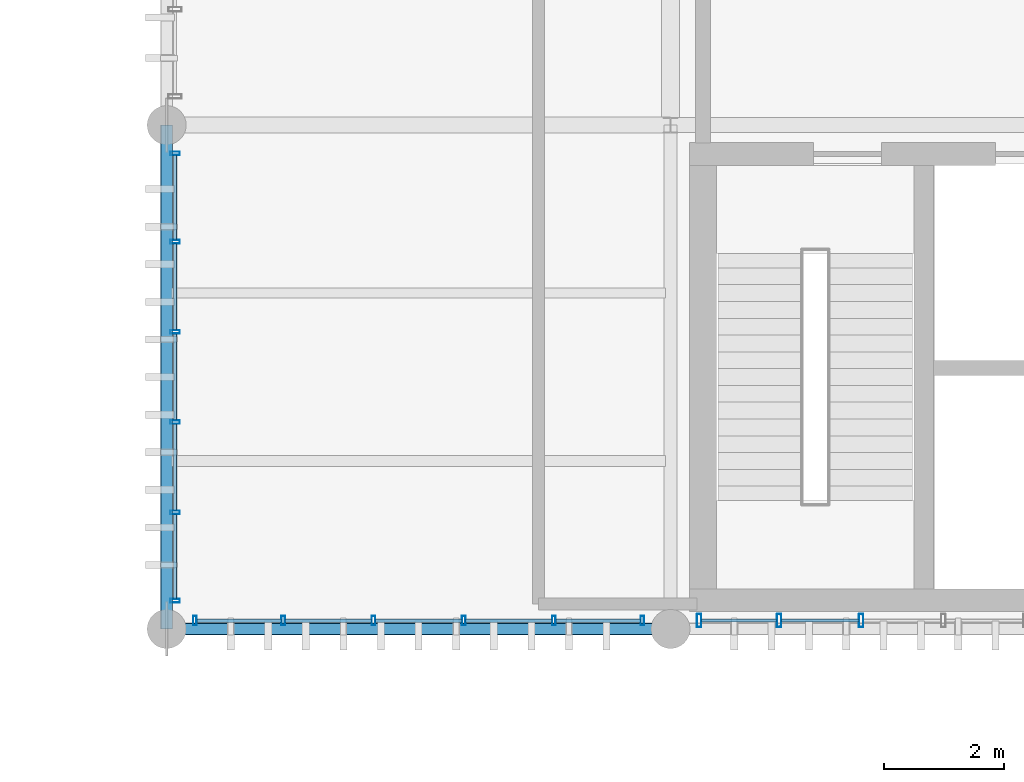
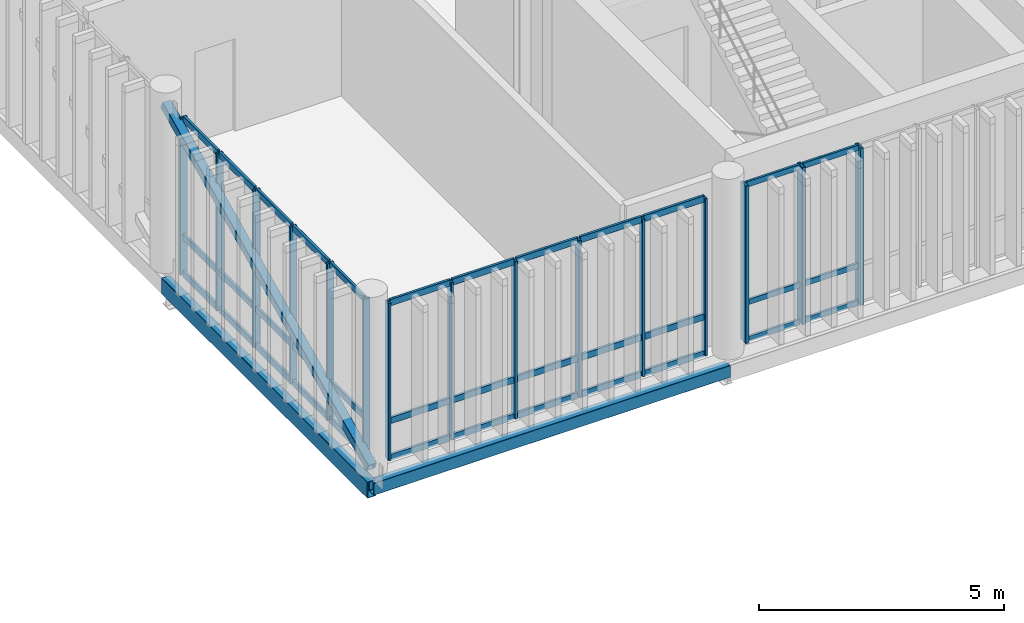
# One storey, part 3 of 19: 52 members, 2 beams, 3 elements without a shape of their own.
"""IFC4 building model written with IfcOpenShell, lengths in metres."""

from ifc_helpers import new_model, si_unit, direction, frame, origin_with_axes, origin_2d_with_axis, place, context, subcontext, project, spatial, hollow_rectangle, extrude, material, material_profile, profile_set, type_object, element, aggregate, save


model = new_model("IFC4")

# Units and contexts
model_context = context("Model", 3, precision=1e-05, world=origin_with_axes(), true_north=direction((0.0, 1.0)))
body_context = subcontext(model_context, "Body", "Model", "MODEL_VIEW")
ifc_project = project(units=[si_unit("LENGTHUNIT", "METRE"), si_unit("AREAUNIT", "SQUARE_METRE"), si_unit("VOLUMEUNIT", "CUBIC_METRE"), si_unit("PLANEANGLEUNIT", "RADIAN"), si_unit("MASSUNIT", "GRAM", prefix="KILO"), si_unit("THERMODYNAMICTEMPERATUREUNIT", "KELVIN")], contexts=[model_context])

# Site, building, storey
site_placement = place(None, origin_with_axes())
site = spatial("IfcSite", under=ifc_project, at=site_placement, CompositionType="ELEMENT")
building_placement = place(site_placement, origin_with_axes())
building = spatial("IfcBuilding", under=site, at=building_placement, Name="Montbau Bow Law Courts", CompositionType="ELEMENT")
storey_placement = place(building_placement, frame((0.0, 0.0, 43.5), z_axis=(0.0, 0.0, 1.0), x_axis=(1.0, 0.0, 0.0)))
storey = spatial("IfcBuildingStorey", under=building, at=storey_placement, Name="L09", CompositionType="ELEMENT", Elevation=43.5)

# Beams
ifc_material_1 = material(Name="Steel CSA G40.21 Grade 350WT (350 MPa)", Category="steel")
ifc_material_profile_1 = material_profile(ifc_material_1, hollow_rectangle(XDim=0.203, YDim=0.406, WallThickness=0.0127, InnerFilletRadius=0.0254, OuterFilletRadius=0.0127, at=origin_2d_with_axis()), Name="HSS406X203X13", Category="Main", Priority=0)
ifc_profile_set_1 = profile_set([ifc_material_profile_1], Name="Steel CSA G40.21 Grade 350WT (350 MPa)")
beam_type_1 = type_object("IfcBeamType", Name="B-SPN-01", PredefinedType="SPANDREL", material=ifc_profile_set_1)
beam_1_placement = place(None, frame((138.6, 86.4, 42.997), z_axis=(0.0, 1.0, 0.0), x_axis=(-1.0, 0.0, 0.0)))
element("IfcBeam", 1, at=beam_1_placement, inside=storey, type_object=beam_type_1, Name="SPN-L09-S1400:bm2_1403", PredefinedType="SPANDREL", context=body_context, shape_type="SweptSolid", body=[
    extrude(hollow_rectangle(XDim=0.203, YDim=0.406, WallThickness=0.0127, InnerFilletRadius=0.0254, OuterFilletRadius=0.0127, at=origin_2d_with_axis()), origin_with_axes(), (0.0, 0.0, 1.0), 8.4),
])
ifc_material_profile_2 = material_profile(ifc_material_1, hollow_rectangle(XDim=0.203, YDim=0.305, WallThickness=0.0127, InnerFilletRadius=0.0254, OuterFilletRadius=0.0127, at=origin_2d_with_axis()), Name="HSS305X203X13", Category="Main", Priority=0)
ifc_profile_set_2 = profile_set([ifc_material_profile_2], Name="Steel CSA G40.21 Grade 350WT (350 MPa)")
beam_type_2 = type_object("IfcBeamType", Name="B-SPN-02", PredefinedType="SPANDREL", material=ifc_profile_set_2)
beam_2_placement = place(None, frame((138.6, 86.4, 43.047), z_axis=(1.0, 0.0, 0.0), x_axis=(0.0, 1.0, 0.0)))
element("IfcBeam", 2, at=beam_2_placement, inside=storey, type_object=beam_type_2, Name="SPN-L09-S1384:bm2_1387", PredefinedType="SPANDREL", context=body_context, shape_type="SweptSolid", body=[
    extrude(hollow_rectangle(XDim=0.203, YDim=0.305, WallThickness=0.0127, InnerFilletRadius=0.0254, OuterFilletRadius=0.0127, at=origin_2d_with_axis()), origin_with_axes(), (0.0, 0.0, 1.0), 8.4),
])

# Member
ifc_material_2 = material(Name="Steel CSA G40.21 Grade 350W (350 MPa)", Category="steel")
ifc_material_profile_3 = material_profile(ifc_material_2, hollow_rectangle(XDim=0.203, YDim=0.203, WallThickness=0.0111, InnerFilletRadius=0.0222, OuterFilletRadius=0.0111, at=origin_2d_with_axis()), Name="HSS203X203X11", Category="Main", Priority=0)
ifc_profile_set_3 = profile_set([ifc_material_profile_3], Name="Steel CSA G40.21 Grade 350W (350 MPa)")
member_type_1 = type_object("IfcMemberType", Name="M-BRC-02", PredefinedType="BRACE", material=ifc_profile_set_3)
member_1_placement = place(None, frame((138.6, 86.4, 43.55), z_axis=(0.0, 0.904650222, 0.426154873), x_axis=(-1.0, 0.0, 0.0)))
element("IfcMember", 3, at=member_1_placement, inside=storey, type_object=member_type_1, Name="Diagonal brace CBF-L09-066A", PredefinedType="BRACE", context=body_context, shape_type="SweptSolid", body=[
    extrude(hollow_rectangle(XDim=0.203, YDim=0.203, WallThickness=0.0111, InnerFilletRadius=0.0222, OuterFilletRadius=0.0111, at=origin_2d_with_axis()), origin_with_axes(), (0.0, 0.0, 1.0), 9.285357),
])

# Curtain wall, members
ifc_material_3 = material(Name="Thermally Broken Extruded Aluminium AA 6063-T6", Category="aluminium")
curtain_wall_type = type_object("IfcCurtainWallType", Name="CW-CRM-03", PredefinedType="NOTDEFINED", material=ifc_material_3)
curtain_wall_1_placement = place(None, frame((147.44, 86.54, 43.5), z_axis=(0.0, 0.0, 1.0), x_axis=(1.0, 0.0, 0.0)))
curtain_wall_1 = element("IfcCurtainWall", 4, at=curtain_wall_1_placement, inside=storey, type_object=curtain_wall_type, Name="CW-L09-387:cw_0387", PredefinedType="NOTDEFINED")
ifc_material_profile_4 = material_profile(ifc_material_3, hollow_rectangle(XDim=0.075, YDim=0.22, WallThickness=0.005, InnerFilletRadius=0.01, OuterFilletRadius=0.005, at=origin_2d_with_axis()), Name="CWM-220X75", Category="Main", Priority=0)
ifc_profile_set_4 = profile_set([ifc_material_profile_4], Name="Thermally Broken Extruded Aluminium AA 6063-T6")
member_type_2 = type_object("IfcMemberType", Name="M-MUL-01", PredefinedType="MULLION", material=ifc_profile_set_4)
member_2_placement = place(None, frame((147.477, 86.54, 43.5), z_axis=(0.0, 0.0, 1.0), x_axis=(1.0, 0.0, 0.0)))
member_2 = element("IfcMember", 5, at=member_2_placement, type_object=member_type_2, Name="CW-L09-387-M01:cw_0387_M01", PredefinedType="MULLION", context=body_context, shape_type="SweptSolid", body=[
    extrude(hollow_rectangle(XDim=0.075, YDim=0.22, WallThickness=0.005, InnerFilletRadius=0.01, OuterFilletRadius=0.005, at=origin_2d_with_axis()), origin_with_axes(), (0.0, 0.0, 1.0), 3.92),
])
member_3_placement = place(None, frame((148.809, 86.54, 43.5), z_axis=(0.0, 0.0, 1.0), x_axis=(1.0, 0.0, 0.0)))
member_3 = element("IfcMember", 6, at=member_3_placement, type_object=member_type_2, Name="CW-L09-387-M02:cw_0387_M02", PredefinedType="MULLION", context=body_context, shape_type="SweptSolid", body=[
    extrude(hollow_rectangle(XDim=0.075, YDim=0.22, WallThickness=0.005, InnerFilletRadius=0.01, OuterFilletRadius=0.005, at=origin_2d_with_axis()), origin_with_axes(), (0.0, 0.0, 1.0), 3.92),
])
member_4_placement = place(None, frame((150.178, 86.54, 43.5), z_axis=(0.0, 0.0, 1.0), x_axis=(1.0, 0.0, 0.0)))
member_4 = element("IfcMember", 7, at=member_4_placement, type_object=member_type_2, Name="CW-L09-387-M03:cw_0387_M03", PredefinedType="MULLION", context=body_context, shape_type="SweptSolid", body=[
    extrude(hollow_rectangle(XDim=0.075, YDim=0.22, WallThickness=0.005, InnerFilletRadius=0.01, OuterFilletRadius=0.005, at=origin_2d_with_axis()), origin_with_axes(), (0.0, 0.0, 1.0), 3.92),
])

curtain_wall_2_placement = place(None, frame((139.04, 86.54, 43.5), z_axis=(0.0, 0.0, 1.0), x_axis=(1.0, 0.0, 0.0)))
curtain_wall_2 = element("IfcCurtainWall", 8, at=curtain_wall_2_placement, inside=storey, type_object=curtain_wall_type, Name="CW-L09-386:cw_0386", PredefinedType="NOTDEFINED")
ifc_material_profile_5 = material_profile(ifc_material_3, hollow_rectangle(XDim=0.06, YDim=0.16, WallThickness=0.004, InnerFilletRadius=0.008, OuterFilletRadius=0.004, at=origin_2d_with_axis()), Name="CWM-160X60", Category="Main", Priority=0)
ifc_profile_set_5 = profile_set([ifc_material_profile_5], Name="Thermally Broken Extruded Aluminium AA 6063-T6")
member_type_3 = type_object("IfcMemberType", Name="M-MUL-03", PredefinedType="MULLION", material=ifc_profile_set_5)
member_5_placement = place(None, frame((139.07, 86.54, 43.5), z_axis=(0.0, 0.0, 1.0), x_axis=(1.0, 0.0, 0.0)))
member_5 = element("IfcMember", 9, at=member_5_placement, type_object=member_type_3, Name="CW-L09-386-M01:cw_0386_M01", PredefinedType="MULLION", context=body_context, shape_type="SweptSolid", body=[
    extrude(hollow_rectangle(XDim=0.06, YDim=0.16, WallThickness=0.004, InnerFilletRadius=0.008, OuterFilletRadius=0.004, at=origin_2d_with_axis()), origin_with_axes(), (0.0, 0.0, 1.0), 3.92),
])
member_6_placement = place(None, frame((140.544, 86.54, 43.5), z_axis=(0.0, 0.0, 1.0), x_axis=(1.0, 0.0, 0.0)))
member_6 = element("IfcMember", 10, at=member_6_placement, type_object=member_type_3, Name="CW-L09-386-M02:cw_0386_M02", PredefinedType="MULLION", context=body_context, shape_type="SweptSolid", body=[
    extrude(hollow_rectangle(XDim=0.06, YDim=0.16, WallThickness=0.004, InnerFilletRadius=0.008, OuterFilletRadius=0.004, at=origin_2d_with_axis()), origin_with_axes(), (0.0, 0.0, 1.0), 3.92),
])
member_7_placement = place(None, frame((142.048, 86.54, 43.5), z_axis=(0.0, 0.0, 1.0), x_axis=(1.0, 0.0, 0.0)))
member_7 = element("IfcMember", 11, at=member_7_placement, type_object=member_type_3, Name="CW-L09-386-M03:cw_0386_M03", PredefinedType="MULLION", context=body_context, shape_type="SweptSolid", body=[
    extrude(hollow_rectangle(XDim=0.06, YDim=0.16, WallThickness=0.004, InnerFilletRadius=0.008, OuterFilletRadius=0.004, at=origin_2d_with_axis()), origin_with_axes(), (0.0, 0.0, 1.0), 3.92),
])
member_8_placement = place(None, frame((143.552, 86.54, 43.5), z_axis=(0.0, 0.0, 1.0), x_axis=(1.0, 0.0, 0.0)))
member_8 = element("IfcMember", 12, at=member_8_placement, type_object=member_type_3, Name="CW-L09-386-M04:cw_0386_M04", PredefinedType="MULLION", context=body_context, shape_type="SweptSolid", body=[
    extrude(hollow_rectangle(XDim=0.06, YDim=0.16, WallThickness=0.004, InnerFilletRadius=0.008, OuterFilletRadius=0.004, at=origin_2d_with_axis()), origin_with_axes(), (0.0, 0.0, 1.0), 3.92),
])
member_9_placement = place(None, frame((145.056, 86.54, 43.5), z_axis=(0.0, 0.0, 1.0), x_axis=(1.0, 0.0, 0.0)))
member_9 = element("IfcMember", 13, at=member_9_placement, type_object=member_type_3, Name="CW-L09-386-M05:cw_0386_M05", PredefinedType="MULLION", context=body_context, shape_type="SweptSolid", body=[
    extrude(hollow_rectangle(XDim=0.06, YDim=0.16, WallThickness=0.004, InnerFilletRadius=0.008, OuterFilletRadius=0.004, at=origin_2d_with_axis()), origin_with_axes(), (0.0, 0.0, 1.0), 3.92),
])
member_10_placement = place(None, frame((146.53, 86.54, 43.5), z_axis=(0.0, 0.0, 1.0), x_axis=(1.0, 0.0, 0.0)))
member_10 = element("IfcMember", 14, at=member_10_placement, type_object=member_type_3, Name="CW-L09-386-M06:cw_0386_M06", PredefinedType="MULLION", context=body_context, shape_type="SweptSolid", body=[
    extrude(hollow_rectangle(XDim=0.06, YDim=0.16, WallThickness=0.004, InnerFilletRadius=0.008, OuterFilletRadius=0.004, at=origin_2d_with_axis()), origin_with_axes(), (0.0, 0.0, 1.0), 3.92),
])

curtain_wall_3_placement = place(None, frame((138.74, 86.84, 43.5), z_axis=(0.0, 0.0, 1.0), x_axis=(1.0, 0.0, 0.0)))
curtain_wall_3 = element("IfcCurtainWall", 15, at=curtain_wall_3_placement, inside=storey, type_object=curtain_wall_type, Name="CW-L09-392:cw_0392", PredefinedType="NOTDEFINED")
member_11_placement = place(None, frame((138.74, 86.87, 43.5), z_axis=(0.0, 0.0, 1.0), x_axis=(0.0, 1.0, 0.0)))
member_11 = element("IfcMember", 16, at=member_11_placement, type_object=member_type_3, Name="CW-L09-392-M01:cw_0392_M01", PredefinedType="MULLION", context=body_context, shape_type="SweptSolid", body=[
    extrude(hollow_rectangle(XDim=0.06, YDim=0.16, WallThickness=0.004, InnerFilletRadius=0.008, OuterFilletRadius=0.004, at=origin_2d_with_axis()), origin_with_axes(), (0.0, 0.0, 1.0), 3.92),
])
member_12_placement = place(None, frame((138.74, 88.344, 43.5), z_axis=(0.0, 0.0, 1.0), x_axis=(0.0, 1.0, 0.0)))
member_12 = element("IfcMember", 17, at=member_12_placement, type_object=member_type_3, Name="CW-L09-392-M02:cw_0392_M02", PredefinedType="MULLION", context=body_context, shape_type="SweptSolid", body=[
    extrude(hollow_rectangle(XDim=0.06, YDim=0.16, WallThickness=0.004, InnerFilletRadius=0.008, OuterFilletRadius=0.004, at=origin_2d_with_axis()), origin_with_axes(), (0.0, 0.0, 1.0), 3.92),
])
member_13_placement = place(None, frame((138.74, 89.848, 43.5), z_axis=(0.0, 0.0, 1.0), x_axis=(0.0, 1.0, 0.0)))
member_13 = element("IfcMember", 18, at=member_13_placement, type_object=member_type_3, Name="CW-L09-392-M03:cw_0392_M03", PredefinedType="MULLION", context=body_context, shape_type="SweptSolid", body=[
    extrude(hollow_rectangle(XDim=0.06, YDim=0.16, WallThickness=0.004, InnerFilletRadius=0.008, OuterFilletRadius=0.004, at=origin_2d_with_axis()), origin_with_axes(), (0.0, 0.0, 1.0), 3.92),
])
member_14_placement = place(None, frame((138.74, 91.352, 43.5), z_axis=(0.0, 0.0, 1.0), x_axis=(0.0, 1.0, 0.0)))
member_14 = element("IfcMember", 19, at=member_14_placement, type_object=member_type_3, Name="CW-L09-392-M04:cw_0392_M04", PredefinedType="MULLION", context=body_context, shape_type="SweptSolid", body=[
    extrude(hollow_rectangle(XDim=0.06, YDim=0.16, WallThickness=0.004, InnerFilletRadius=0.008, OuterFilletRadius=0.004, at=origin_2d_with_axis()), origin_with_axes(), (0.0, 0.0, 1.0), 3.92),
])
member_15_placement = place(None, frame((138.74, 92.856, 43.5), z_axis=(0.0, 0.0, 1.0), x_axis=(0.0, 1.0, 0.0)))
member_15 = element("IfcMember", 20, at=member_15_placement, type_object=member_type_3, Name="CW-L09-392-M05:cw_0392_M05", PredefinedType="MULLION", context=body_context, shape_type="SweptSolid", body=[
    extrude(hollow_rectangle(XDim=0.06, YDim=0.16, WallThickness=0.004, InnerFilletRadius=0.008, OuterFilletRadius=0.004, at=origin_2d_with_axis()), origin_with_axes(), (0.0, 0.0, 1.0), 3.92),
])
member_16_placement = place(None, frame((138.74, 94.33, 43.5), z_axis=(0.0, 0.0, 1.0), x_axis=(0.0, 1.0, 0.0)))
member_16 = element("IfcMember", 21, at=member_16_placement, type_object=member_type_3, Name="CW-L09-392-M06:cw_0392_M06", PredefinedType="MULLION", context=body_context, shape_type="SweptSolid", body=[
    extrude(hollow_rectangle(XDim=0.06, YDim=0.16, WallThickness=0.004, InnerFilletRadius=0.008, OuterFilletRadius=0.004, at=origin_2d_with_axis()), origin_with_axes(), (0.0, 0.0, 1.0), 3.92),
])

# Member
ifc_material_profile_6 = material_profile(ifc_material_3, hollow_rectangle(XDim=0.06, YDim=0.16, WallThickness=0.004, InnerFilletRadius=0.008, OuterFilletRadius=0.004, at=origin_2d_with_axis()), Name="CWT-160X60", Category="Main", Priority=0)
ifc_profile_set_6 = profile_set([ifc_material_profile_6], Name="Thermally Broken Extruded Aluminium AA 6063-T6")
member_type_4 = type_object("IfcMemberType", Name="M-TRN-01", PredefinedType="USERDEFINED", material=ifc_profile_set_6)
member_17_placement = place(None, frame((139.102, 86.54, 43.53), z_axis=(1.0, 0.0, 0.0), x_axis=(0.0, 1.0, 0.0)))
member_17 = element("IfcMember", 22, at=member_17_placement, type_object=member_type_4, Name="CW-L09-386-T01-1:cw_0386_T01_1", ObjectType="TRANSOM", PredefinedType="USERDEFINED", context=body_context, shape_type="SweptSolid", body=[
    extrude(hollow_rectangle(XDim=0.06, YDim=0.16, WallThickness=0.004, InnerFilletRadius=0.008, OuterFilletRadius=0.004, at=origin_2d_with_axis()), origin_with_axes(), (0.0, 0.0, 1.0), 1.41),
])

member_18_placement = place(None, frame((139.102, 86.54, 44.45), z_axis=(1.0, 0.0, 0.0), x_axis=(0.0, 1.0, 0.0)))
member_18 = element("IfcMember", 23, at=member_18_placement, type_object=member_type_4, Name="CW-L09-386-T01-2:cw_0386_T01_2", ObjectType="TRANSOM", PredefinedType="USERDEFINED", context=body_context, shape_type="SweptSolid", body=[
    extrude(hollow_rectangle(XDim=0.06, YDim=0.16, WallThickness=0.004, InnerFilletRadius=0.008, OuterFilletRadius=0.004, at=origin_2d_with_axis()), origin_with_axes(), (0.0, 0.0, 1.0), 1.41),
])

member_19_placement = place(None, frame((139.102, 86.54, 47.39), z_axis=(1.0, 0.0, 0.0), x_axis=(0.0, 1.0, 0.0)))
member_19 = element("IfcMember", 24, at=member_19_placement, type_object=member_type_4, Name="CW-L09-386-T01-3:cw_0386_T01_3", ObjectType="TRANSOM", PredefinedType="USERDEFINED", context=body_context, shape_type="SweptSolid", body=[
    extrude(hollow_rectangle(XDim=0.06, YDim=0.16, WallThickness=0.004, InnerFilletRadius=0.008, OuterFilletRadius=0.004, at=origin_2d_with_axis()), origin_with_axes(), (0.0, 0.0, 1.0), 1.41),
])

member_20_placement = place(None, frame((140.576, 86.54, 43.53), z_axis=(1.0, 0.0, 0.0), x_axis=(0.0, 1.0, 0.0)))
member_20 = element("IfcMember", 25, at=member_20_placement, type_object=member_type_4, Name="CW-L09-386-T02-1:cw_0386_T02_1", ObjectType="TRANSOM", PredefinedType="USERDEFINED", context=body_context, shape_type="SweptSolid", body=[
    extrude(hollow_rectangle(XDim=0.06, YDim=0.16, WallThickness=0.004, InnerFilletRadius=0.008, OuterFilletRadius=0.004, at=origin_2d_with_axis()), origin_with_axes(), (0.0, 0.0, 1.0), 1.44),
])

member_21_placement = place(None, frame((140.576, 86.54, 44.45), z_axis=(1.0, 0.0, 0.0), x_axis=(0.0, 1.0, 0.0)))
member_21 = element("IfcMember", 26, at=member_21_placement, type_object=member_type_4, Name="CW-L09-386-T02-2:cw_0386_T02_2", ObjectType="TRANSOM", PredefinedType="USERDEFINED", context=body_context, shape_type="SweptSolid", body=[
    extrude(hollow_rectangle(XDim=0.06, YDim=0.16, WallThickness=0.004, InnerFilletRadius=0.008, OuterFilletRadius=0.004, at=origin_2d_with_axis()), origin_with_axes(), (0.0, 0.0, 1.0), 1.44),
])

member_22_placement = place(None, frame((140.576, 86.54, 47.39), z_axis=(1.0, 0.0, 0.0), x_axis=(0.0, 1.0, 0.0)))
member_22 = element("IfcMember", 27, at=member_22_placement, type_object=member_type_4, Name="CW-L09-386-T02-3:cw_0386_T02_3", ObjectType="TRANSOM", PredefinedType="USERDEFINED", context=body_context, shape_type="SweptSolid", body=[
    extrude(hollow_rectangle(XDim=0.06, YDim=0.16, WallThickness=0.004, InnerFilletRadius=0.008, OuterFilletRadius=0.004, at=origin_2d_with_axis()), origin_with_axes(), (0.0, 0.0, 1.0), 1.44),
])

member_23_placement = place(None, frame((142.08, 86.54, 43.53), z_axis=(1.0, 0.0, 0.0), x_axis=(0.0, 1.0, 0.0)))
member_23 = element("IfcMember", 28, at=member_23_placement, type_object=member_type_4, Name="CW-L09-386-T03-1:cw_0386_T03_1", ObjectType="TRANSOM", PredefinedType="USERDEFINED", context=body_context, shape_type="SweptSolid", body=[
    extrude(hollow_rectangle(XDim=0.06, YDim=0.16, WallThickness=0.004, InnerFilletRadius=0.008, OuterFilletRadius=0.004, at=origin_2d_with_axis()), origin_with_axes(), (0.0, 0.0, 1.0), 1.44),
])

member_24_placement = place(None, frame((142.08, 86.54, 44.45), z_axis=(1.0, 0.0, 0.0), x_axis=(0.0, 1.0, 0.0)))
member_24 = element("IfcMember", 29, at=member_24_placement, type_object=member_type_4, Name="CW-L09-386-T03-2:cw_0386_T03_2", ObjectType="TRANSOM", PredefinedType="USERDEFINED", context=body_context, shape_type="SweptSolid", body=[
    extrude(hollow_rectangle(XDim=0.06, YDim=0.16, WallThickness=0.004, InnerFilletRadius=0.008, OuterFilletRadius=0.004, at=origin_2d_with_axis()), origin_with_axes(), (0.0, 0.0, 1.0), 1.44),
])

member_25_placement = place(None, frame((142.08, 86.54, 47.39), z_axis=(1.0, 0.0, 0.0), x_axis=(0.0, 1.0, 0.0)))
member_25 = element("IfcMember", 30, at=member_25_placement, type_object=member_type_4, Name="CW-L09-386-T03-3:cw_0386_T03_3", ObjectType="TRANSOM", PredefinedType="USERDEFINED", context=body_context, shape_type="SweptSolid", body=[
    extrude(hollow_rectangle(XDim=0.06, YDim=0.16, WallThickness=0.004, InnerFilletRadius=0.008, OuterFilletRadius=0.004, at=origin_2d_with_axis()), origin_with_axes(), (0.0, 0.0, 1.0), 1.44),
])

member_26_placement = place(None, frame((143.584, 86.54, 43.53), z_axis=(1.0, 0.0, 0.0), x_axis=(0.0, 1.0, 0.0)))
member_26 = element("IfcMember", 31, at=member_26_placement, type_object=member_type_4, Name="CW-L09-386-T04-1:cw_0386_T04_1", ObjectType="TRANSOM", PredefinedType="USERDEFINED", context=body_context, shape_type="SweptSolid", body=[
    extrude(hollow_rectangle(XDim=0.06, YDim=0.16, WallThickness=0.004, InnerFilletRadius=0.008, OuterFilletRadius=0.004, at=origin_2d_with_axis()), origin_with_axes(), (0.0, 0.0, 1.0), 1.44),
])

member_27_placement = place(None, frame((143.584, 86.54, 44.45), z_axis=(1.0, 0.0, 0.0), x_axis=(0.0, 1.0, 0.0)))
member_27 = element("IfcMember", 32, at=member_27_placement, type_object=member_type_4, Name="CW-L09-386-T04-2:cw_0386_T04_2", ObjectType="TRANSOM", PredefinedType="USERDEFINED", context=body_context, shape_type="SweptSolid", body=[
    extrude(hollow_rectangle(XDim=0.06, YDim=0.16, WallThickness=0.004, InnerFilletRadius=0.008, OuterFilletRadius=0.004, at=origin_2d_with_axis()), origin_with_axes(), (0.0, 0.0, 1.0), 1.44),
])

member_28_placement = place(None, frame((143.584, 86.54, 47.39), z_axis=(1.0, 0.0, 0.0), x_axis=(0.0, 1.0, 0.0)))
member_28 = element("IfcMember", 33, at=member_28_placement, type_object=member_type_4, Name="CW-L09-386-T04-3:cw_0386_T04_3", ObjectType="TRANSOM", PredefinedType="USERDEFINED", context=body_context, shape_type="SweptSolid", body=[
    extrude(hollow_rectangle(XDim=0.06, YDim=0.16, WallThickness=0.004, InnerFilletRadius=0.008, OuterFilletRadius=0.004, at=origin_2d_with_axis()), origin_with_axes(), (0.0, 0.0, 1.0), 1.44),
])

member_29_placement = place(None, frame((145.088, 86.54, 43.53), z_axis=(1.0, 0.0, 0.0), x_axis=(0.0, 1.0, 0.0)))
member_29 = element("IfcMember", 34, at=member_29_placement, type_object=member_type_4, Name="CW-L09-386-T05-1:cw_0386_T05_1", ObjectType="TRANSOM", PredefinedType="USERDEFINED", context=body_context, shape_type="SweptSolid", body=[
    extrude(hollow_rectangle(XDim=0.06, YDim=0.16, WallThickness=0.004, InnerFilletRadius=0.008, OuterFilletRadius=0.004, at=origin_2d_with_axis()), origin_with_axes(), (0.0, 0.0, 1.0), 1.41),
])

member_30_placement = place(None, frame((145.088, 86.54, 44.45), z_axis=(1.0, 0.0, 0.0), x_axis=(0.0, 1.0, 0.0)))
member_30 = element("IfcMember", 35, at=member_30_placement, type_object=member_type_4, Name="CW-L09-386-T05-2:cw_0386_T05_2", ObjectType="TRANSOM", PredefinedType="USERDEFINED", context=body_context, shape_type="SweptSolid", body=[
    extrude(hollow_rectangle(XDim=0.06, YDim=0.16, WallThickness=0.004, InnerFilletRadius=0.008, OuterFilletRadius=0.004, at=origin_2d_with_axis()), origin_with_axes(), (0.0, 0.0, 1.0), 1.41),
])

member_31_placement = place(None, frame((145.088, 86.54, 47.39), z_axis=(1.0, 0.0, 0.0), x_axis=(0.0, 1.0, 0.0)))
member_31 = element("IfcMember", 36, at=member_31_placement, type_object=member_type_4, Name="CW-L09-386-T05-3:cw_0386_T05_3", ObjectType="TRANSOM", PredefinedType="USERDEFINED", context=body_context, shape_type="SweptSolid", body=[
    extrude(hollow_rectangle(XDim=0.06, YDim=0.16, WallThickness=0.004, InnerFilletRadius=0.008, OuterFilletRadius=0.004, at=origin_2d_with_axis()), origin_with_axes(), (0.0, 0.0, 1.0), 1.41),
])

aggregate(curtain_wall_2, [member_5, member_6, member_7, member_8, member_9, member_10, member_17, member_18, member_19, member_20, member_21, member_22, member_23, member_24, member_25, member_26, member_27, member_28, member_29, member_30, member_31])

member_32_placement = place(None, frame((138.74, 86.902, 43.53), z_axis=(0.0, 1.0, 0.0), x_axis=(-1.0, 0.0, 0.0)))
member_32 = element("IfcMember", 37, at=member_32_placement, type_object=member_type_4, Name="CW-L09-392-T01-1:cw_0392_T01_1", ObjectType="TRANSOM", PredefinedType="USERDEFINED", context=body_context, shape_type="SweptSolid", body=[
    extrude(hollow_rectangle(XDim=0.06, YDim=0.16, WallThickness=0.004, InnerFilletRadius=0.008, OuterFilletRadius=0.004, at=origin_2d_with_axis()), origin_with_axes(), (0.0, 0.0, 1.0), 1.41),
])

member_33_placement = place(None, frame((138.74, 86.902, 44.45), z_axis=(0.0, 1.0, 0.0), x_axis=(-1.0, 0.0, 0.0)))
member_33 = element("IfcMember", 38, at=member_33_placement, type_object=member_type_4, Name="CW-L09-392-T01-2:cw_0392_T01_2", ObjectType="TRANSOM", PredefinedType="USERDEFINED", context=body_context, shape_type="SweptSolid", body=[
    extrude(hollow_rectangle(XDim=0.06, YDim=0.16, WallThickness=0.004, InnerFilletRadius=0.008, OuterFilletRadius=0.004, at=origin_2d_with_axis()), origin_with_axes(), (0.0, 0.0, 1.0), 1.41),
])

member_34_placement = place(None, frame((138.74, 86.902, 47.39), z_axis=(0.0, 1.0, 0.0), x_axis=(-1.0, 0.0, 0.0)))
member_34 = element("IfcMember", 39, at=member_34_placement, type_object=member_type_4, Name="CW-L09-392-T01-3:cw_0392_T01_3", ObjectType="TRANSOM", PredefinedType="USERDEFINED", context=body_context, shape_type="SweptSolid", body=[
    extrude(hollow_rectangle(XDim=0.06, YDim=0.16, WallThickness=0.004, InnerFilletRadius=0.008, OuterFilletRadius=0.004, at=origin_2d_with_axis()), origin_with_axes(), (0.0, 0.0, 1.0), 1.41),
])

member_35_placement = place(None, frame((138.74, 88.376, 43.53), z_axis=(0.0, 1.0, 0.0), x_axis=(-1.0, 0.0, 0.0)))
member_35 = element("IfcMember", 40, at=member_35_placement, type_object=member_type_4, Name="CW-L09-392-T02-1:cw_0392_T02_1", ObjectType="TRANSOM", PredefinedType="USERDEFINED", context=body_context, shape_type="SweptSolid", body=[
    extrude(hollow_rectangle(XDim=0.06, YDim=0.16, WallThickness=0.004, InnerFilletRadius=0.008, OuterFilletRadius=0.004, at=origin_2d_with_axis()), origin_with_axes(), (0.0, 0.0, 1.0), 1.44),
])

member_36_placement = place(None, frame((138.74, 88.376, 44.45), z_axis=(0.0, 1.0, 0.0), x_axis=(-1.0, 0.0, 0.0)))
member_36 = element("IfcMember", 41, at=member_36_placement, type_object=member_type_4, Name="CW-L09-392-T02-2:cw_0392_T02_2", ObjectType="TRANSOM", PredefinedType="USERDEFINED", context=body_context, shape_type="SweptSolid", body=[
    extrude(hollow_rectangle(XDim=0.06, YDim=0.16, WallThickness=0.004, InnerFilletRadius=0.008, OuterFilletRadius=0.004, at=origin_2d_with_axis()), origin_with_axes(), (0.0, 0.0, 1.0), 1.44),
])

member_37_placement = place(None, frame((138.74, 88.376, 47.39), z_axis=(0.0, 1.0, 0.0), x_axis=(-1.0, 0.0, 0.0)))
member_37 = element("IfcMember", 42, at=member_37_placement, type_object=member_type_4, Name="CW-L09-392-T02-3:cw_0392_T02_3", ObjectType="TRANSOM", PredefinedType="USERDEFINED", context=body_context, shape_type="SweptSolid", body=[
    extrude(hollow_rectangle(XDim=0.06, YDim=0.16, WallThickness=0.004, InnerFilletRadius=0.008, OuterFilletRadius=0.004, at=origin_2d_with_axis()), origin_with_axes(), (0.0, 0.0, 1.0), 1.44),
])

member_38_placement = place(None, frame((138.74, 89.88, 43.53), z_axis=(0.0, 1.0, 0.0), x_axis=(-1.0, 0.0, 0.0)))
member_38 = element("IfcMember", 43, at=member_38_placement, type_object=member_type_4, Name="CW-L09-392-T03-1:cw_0392_T03_1", ObjectType="TRANSOM", PredefinedType="USERDEFINED", context=body_context, shape_type="SweptSolid", body=[
    extrude(hollow_rectangle(XDim=0.06, YDim=0.16, WallThickness=0.004, InnerFilletRadius=0.008, OuterFilletRadius=0.004, at=origin_2d_with_axis()), origin_with_axes(), (0.0, 0.0, 1.0), 1.44),
])

member_39_placement = place(None, frame((138.74, 89.88, 44.45), z_axis=(0.0, 1.0, 0.0), x_axis=(-1.0, 0.0, 0.0)))
member_39 = element("IfcMember", 44, at=member_39_placement, type_object=member_type_4, Name="CW-L09-392-T03-2:cw_0392_T03_2", ObjectType="TRANSOM", PredefinedType="USERDEFINED", context=body_context, shape_type="SweptSolid", body=[
    extrude(hollow_rectangle(XDim=0.06, YDim=0.16, WallThickness=0.004, InnerFilletRadius=0.008, OuterFilletRadius=0.004, at=origin_2d_with_axis()), origin_with_axes(), (0.0, 0.0, 1.0), 1.44),
])

member_40_placement = place(None, frame((138.74, 89.88, 47.39), z_axis=(0.0, 1.0, 0.0), x_axis=(-1.0, 0.0, 0.0)))
member_40 = element("IfcMember", 45, at=member_40_placement, type_object=member_type_4, Name="CW-L09-392-T03-3:cw_0392_T03_3", ObjectType="TRANSOM", PredefinedType="USERDEFINED", context=body_context, shape_type="SweptSolid", body=[
    extrude(hollow_rectangle(XDim=0.06, YDim=0.16, WallThickness=0.004, InnerFilletRadius=0.008, OuterFilletRadius=0.004, at=origin_2d_with_axis()), origin_with_axes(), (0.0, 0.0, 1.0), 1.44),
])

member_41_placement = place(None, frame((138.74, 91.384, 43.53), z_axis=(0.0, 1.0, 0.0), x_axis=(-1.0, 0.0, 0.0)))
member_41 = element("IfcMember", 46, at=member_41_placement, type_object=member_type_4, Name="CW-L09-392-T04-1:cw_0392_T04_1", ObjectType="TRANSOM", PredefinedType="USERDEFINED", context=body_context, shape_type="SweptSolid", body=[
    extrude(hollow_rectangle(XDim=0.06, YDim=0.16, WallThickness=0.004, InnerFilletRadius=0.008, OuterFilletRadius=0.004, at=origin_2d_with_axis()), origin_with_axes(), (0.0, 0.0, 1.0), 1.44),
])

member_42_placement = place(None, frame((138.74, 91.384, 44.45), z_axis=(0.0, 1.0, 0.0), x_axis=(-1.0, 0.0, 0.0)))
member_42 = element("IfcMember", 47, at=member_42_placement, type_object=member_type_4, Name="CW-L09-392-T04-2:cw_0392_T04_2", ObjectType="TRANSOM", PredefinedType="USERDEFINED", context=body_context, shape_type="SweptSolid", body=[
    extrude(hollow_rectangle(XDim=0.06, YDim=0.16, WallThickness=0.004, InnerFilletRadius=0.008, OuterFilletRadius=0.004, at=origin_2d_with_axis()), origin_with_axes(), (0.0, 0.0, 1.0), 1.44),
])

member_43_placement = place(None, frame((138.74, 91.384, 47.39), z_axis=(0.0, 1.0, 0.0), x_axis=(-1.0, 0.0, 0.0)))
member_43 = element("IfcMember", 48, at=member_43_placement, type_object=member_type_4, Name="CW-L09-392-T04-3:cw_0392_T04_3", ObjectType="TRANSOM", PredefinedType="USERDEFINED", context=body_context, shape_type="SweptSolid", body=[
    extrude(hollow_rectangle(XDim=0.06, YDim=0.16, WallThickness=0.004, InnerFilletRadius=0.008, OuterFilletRadius=0.004, at=origin_2d_with_axis()), origin_with_axes(), (0.0, 0.0, 1.0), 1.44),
])

member_44_placement = place(None, frame((138.74, 92.888, 43.53), z_axis=(0.0, 1.0, 0.0), x_axis=(-1.0, 0.0, 0.0)))
member_44 = element("IfcMember", 49, at=member_44_placement, type_object=member_type_4, Name="CW-L09-392-T05-1:cw_0392_T05_1", ObjectType="TRANSOM", PredefinedType="USERDEFINED", context=body_context, shape_type="SweptSolid", body=[
    extrude(hollow_rectangle(XDim=0.06, YDim=0.16, WallThickness=0.004, InnerFilletRadius=0.008, OuterFilletRadius=0.004, at=origin_2d_with_axis()), origin_with_axes(), (0.0, 0.0, 1.0), 1.41),
])

member_45_placement = place(None, frame((138.74, 92.888, 44.45), z_axis=(0.0, 1.0, 0.0), x_axis=(-1.0, 0.0, 0.0)))
member_45 = element("IfcMember", 50, at=member_45_placement, type_object=member_type_4, Name="CW-L09-392-T05-2:cw_0392_T05_2", ObjectType="TRANSOM", PredefinedType="USERDEFINED", context=body_context, shape_type="SweptSolid", body=[
    extrude(hollow_rectangle(XDim=0.06, YDim=0.16, WallThickness=0.004, InnerFilletRadius=0.008, OuterFilletRadius=0.004, at=origin_2d_with_axis()), origin_with_axes(), (0.0, 0.0, 1.0), 1.41),
])

member_46_placement = place(None, frame((138.74, 92.888, 47.39), z_axis=(0.0, 1.0, 0.0), x_axis=(-1.0, 0.0, 0.0)))
member_46 = element("IfcMember", 51, at=member_46_placement, type_object=member_type_4, Name="CW-L09-392-T05-3:cw_0392_T05_3", ObjectType="TRANSOM", PredefinedType="USERDEFINED", context=body_context, shape_type="SweptSolid", body=[
    extrude(hollow_rectangle(XDim=0.06, YDim=0.16, WallThickness=0.004, InnerFilletRadius=0.008, OuterFilletRadius=0.004, at=origin_2d_with_axis()), origin_with_axes(), (0.0, 0.0, 1.0), 1.41),
])

aggregate(curtain_wall_3, [member_11, member_12, member_13, member_14, member_15, member_16, member_32, member_33, member_34, member_35, member_36, member_37, member_38, member_39, member_40, member_41, member_42, member_43, member_44, member_45, member_46])

ifc_material_profile_7 = material_profile(ifc_material_3, hollow_rectangle(XDim=0.055, YDim=0.14, WallThickness=0.004, InnerFilletRadius=0.008, OuterFilletRadius=0.004, at=origin_2d_with_axis()), Name="CWT-140X55", Category="Main", Priority=0)
ifc_profile_set_7 = profile_set([ifc_material_profile_7], Name="Thermally Broken Extruded Aluminium AA 6063-T6")
member_type_5 = type_object("IfcMemberType", Name="M-TRN-02", PredefinedType="USERDEFINED", material=ifc_profile_set_7)
member_47_placement = place(None, frame((147.516, 86.54, 43.528), z_axis=(1.0, 0.0, 0.0), x_axis=(0.0, 1.0, 0.0)))
member_47 = element("IfcMember", 52, at=member_47_placement, type_object=member_type_5, Name="CW-L09-387-T01-1:cw_0387_T01_1", ObjectType="TRANSOM", PredefinedType="USERDEFINED", context=body_context, shape_type="SweptSolid", body=[
    extrude(hollow_rectangle(XDim=0.055, YDim=0.14, WallThickness=0.004, InnerFilletRadius=0.008, OuterFilletRadius=0.004, at=origin_2d_with_axis()), origin_with_axes(), (0.0, 0.0, 1.0), 1.253),
])

member_48_placement = place(None, frame((147.516, 86.54, 44.45), z_axis=(1.0, 0.0, 0.0), x_axis=(0.0, 1.0, 0.0)))
member_48 = element("IfcMember", 53, at=member_48_placement, type_object=member_type_5, Name="CW-L09-387-T01-2:cw_0387_T01_2", ObjectType="TRANSOM", PredefinedType="USERDEFINED", context=body_context, shape_type="SweptSolid", body=[
    extrude(hollow_rectangle(XDim=0.055, YDim=0.14, WallThickness=0.004, InnerFilletRadius=0.008, OuterFilletRadius=0.004, at=origin_2d_with_axis()), origin_with_axes(), (0.0, 0.0, 1.0), 1.253),
])

member_49_placement = place(None, frame((147.516, 86.54, 47.392), z_axis=(1.0, 0.0, 0.0), x_axis=(0.0, 1.0, 0.0)))
member_49 = element("IfcMember", 54, at=member_49_placement, type_object=member_type_5, Name="CW-L09-387-T01-3:cw_0387_T01_3", ObjectType="TRANSOM", PredefinedType="USERDEFINED", context=body_context, shape_type="SweptSolid", body=[
    extrude(hollow_rectangle(XDim=0.055, YDim=0.14, WallThickness=0.004, InnerFilletRadius=0.008, OuterFilletRadius=0.004, at=origin_2d_with_axis()), origin_with_axes(), (0.0, 0.0, 1.0), 1.253),
])

member_50_placement = place(None, frame((148.849, 86.54, 43.528), z_axis=(1.0, 0.0, 0.0), x_axis=(0.0, 1.0, 0.0)))
member_50 = element("IfcMember", 55, at=member_50_placement, type_object=member_type_5, Name="CW-L09-387-T02-1:cw_0387_T02_1", ObjectType="TRANSOM", PredefinedType="USERDEFINED", context=body_context, shape_type="SweptSolid", body=[
    extrude(hollow_rectangle(XDim=0.055, YDim=0.14, WallThickness=0.004, InnerFilletRadius=0.008, OuterFilletRadius=0.004, at=origin_2d_with_axis()), origin_with_axes(), (0.0, 0.0, 1.0), 1.29),
])

member_51_placement = place(None, frame((148.849, 86.54, 44.45), z_axis=(1.0, 0.0, 0.0), x_axis=(0.0, 1.0, 0.0)))
member_51 = element("IfcMember", 56, at=member_51_placement, type_object=member_type_5, Name="CW-L09-387-T02-2:cw_0387_T02_2", ObjectType="TRANSOM", PredefinedType="USERDEFINED", context=body_context, shape_type="SweptSolid", body=[
    extrude(hollow_rectangle(XDim=0.055, YDim=0.14, WallThickness=0.004, InnerFilletRadius=0.008, OuterFilletRadius=0.004, at=origin_2d_with_axis()), origin_with_axes(), (0.0, 0.0, 1.0), 1.29),
])

member_52_placement = place(None, frame((148.849, 86.54, 47.392), z_axis=(1.0, 0.0, 0.0), x_axis=(0.0, 1.0, 0.0)))
member_52 = element("IfcMember", 57, at=member_52_placement, type_object=member_type_5, Name="CW-L09-387-T02-3:cw_0387_T02_3", ObjectType="TRANSOM", PredefinedType="USERDEFINED", context=body_context, shape_type="SweptSolid", body=[
    extrude(hollow_rectangle(XDim=0.055, YDim=0.14, WallThickness=0.004, InnerFilletRadius=0.008, OuterFilletRadius=0.004, at=origin_2d_with_axis()), origin_with_axes(), (0.0, 0.0, 1.0), 1.29),
])

aggregate(curtain_wall_1, [member_2, member_3, member_4, member_47, member_48, member_49, member_50, member_51, member_52])

save(model, "model.ifc")
